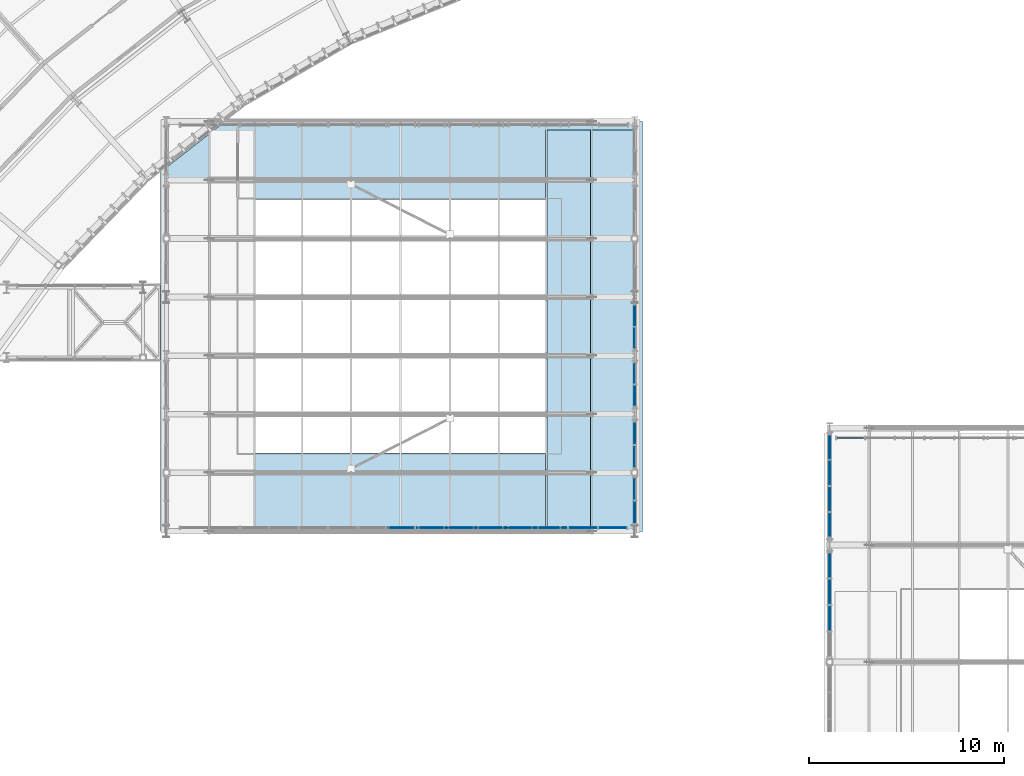
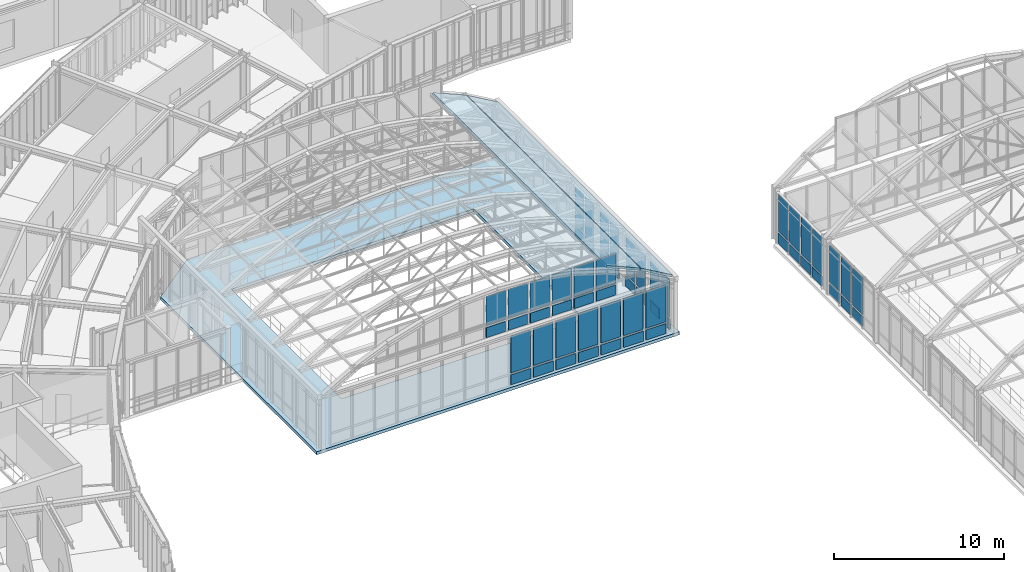
# One storey, part 99 of 148: 57 plates, 3 slabs, 9 elements without a shape of their own.
"""IFC4 building model written with IfcOpenShell, lengths in metres."""

from ifc_helpers import new_model, si_unit, direction, frame, origin, origin_2d, place, context, subcontext, project, spatial, polyline, rectangle, outline, extrude, material, layer, layer_set, type_object, element, aggregate, save


model = new_model("IFC4")

# Units and contexts
model_context = context("Model", 3, precision=1e-05, world=origin(), true_north=direction((0.0, 1.0)))
body_context = subcontext(model_context, "Body", "Model", "MODEL_VIEW")
ifc_project = project(units=[si_unit("LENGTHUNIT", "METRE"), si_unit("AREAUNIT", "SQUARE_METRE"), si_unit("VOLUMEUNIT", "CUBIC_METRE"), si_unit("PLANEANGLEUNIT", "RADIAN"), si_unit("MASSUNIT", "GRAM", prefix="KILO"), si_unit("THERMODYNAMICTEMPERATUREUNIT", "KELVIN"), si_unit("POWERUNIT", "WATT")], contexts=[model_context])

# Site, building, storey
site_placement = place(None, origin())
site = spatial("IfcSite", under=ifc_project, at=site_placement, CompositionType="ELEMENT")
building_placement = place(site_placement, origin())
building = spatial("IfcBuilding", under=site, at=building_placement, Name="Solvatero Civic Police Headquarters", CompositionType="ELEMENT")
storey_placement = place(building_placement, frame((0.0, 0.0, 5.10009765625)))
storey = spatial("IfcBuildingStorey", under=building, at=storey_placement, Name="L01", CompositionType="ELEMENT", Elevation=5.10009765625)

# Curtain wall, plate
ifc_material_1 = material(Name="Anodized Bronze Aluminium", Category="aluminium")
ifc_layer_1 = layer(ifc_material_1, 0.179931640625)
ifc_layer_set_1 = layer_set([ifc_layer_1], Name="Anodized Bronze Aluminium")
curtain_wall_type_1 = type_object("IfcCurtainWallType", Name="CW-HAL-GLZ", PredefinedType="USERDEFINED", material=ifc_layer_set_1)
curtain_wall_1_placement = place(storey_placement, origin())
curtain_wall_1 = element("IfcCurtainWall", 1, at=curtain_wall_1_placement, inside=storey, type_object=curtain_wall_type_1, Name="Curtain Wall CW-R2-L01-V2-E-B1", ObjectType="UNITISED", PredefinedType="USERDEFINED")
ifc_material_2 = material(Name="Triple Low-E Laminated Glass", Category="glass")
ifc_layer_2 = layer(ifc_material_2, 0.0380859375)
ifc_layer_set_2 = layer_set([ifc_layer_2], Name="Triple Low-E Laminated Glass")
plate_type_1 = type_object("IfcPlateType", Name="CWP-GLZ-38", PredefinedType="CURTAIN_PANEL", material=ifc_layer_set_2)
plate_1_placement = place(storey_placement, frame((88.800048828125, 43.68359375, 0.909912109375), z_axis=(0.0, 0.0, 1.0), x_axis=(0.0, 1.0, 0.0)))
plate_1 = element("IfcPlate", 2, at=plate_1_placement, type_object=plate_type_1, Name="CW-R2-L01-V2-E-B1 Vision Glazing 2", PredefinedType="CURTAIN_PANEL", context=body_context, shape_type="SweptSolid", body=[
    extrude(rectangle(XDim=1.049072265625, YDim=0.0380859375, at=origin_2d()), origin(), (0.0, 0.0, 1.0), 2.68994140625),
])

curtain_wall_2_placement = place(storey_placement, origin())
curtain_wall_2 = element("IfcCurtainWall", 3, at=curtain_wall_2_placement, inside=storey, type_object=curtain_wall_type_1, Name="Curtain Wall CW-R2-L01-V2-E-B2", ObjectType="UNITISED", PredefinedType="USERDEFINED")
plate_2_placement = place(storey_placement, frame((88.800048828125, 45.31396484375, 0.909912109375), z_axis=(0.0, 0.0, 1.0), x_axis=(0.0, 1.0, 0.0)))
plate_2 = element("IfcPlate", 4, at=plate_2_placement, type_object=plate_type_1, Name="CW-R2-L01-V2-E-B2 Vision Glazing 1", PredefinedType="CURTAIN_PANEL", context=body_context, shape_type="SweptSolid", body=[
    extrude(rectangle(XDim=1.0439453125, YDim=0.0380859375, at=origin_2d()), origin(), (0.0, 0.0, 1.0), 2.68994140625),
])

curtain_wall_3_placement = place(storey_placement, origin())
curtain_wall_3 = element("IfcCurtainWall", 5, at=curtain_wall_3_placement, inside=storey, type_object=curtain_wall_type_1, Name="Curtain Wall CW-R2-L01-V2-E-B3", ObjectType="UNITISED", PredefinedType="USERDEFINED")
plate_3_placement = place(storey_placement, frame((88.800048828125, 49.611083984375, 0.909912109375), z_axis=(0.0, 0.0, 1.0), x_axis=(0.0, 1.0, 0.0)))
plate_3 = element("IfcPlate", 6, at=plate_3_placement, type_object=plate_type_1, Name="CW-R2-L01-V2-E-B3 Vision Glazing 2", PredefinedType="CURTAIN_PANEL", context=body_context, shape_type="SweptSolid", body=[
    extrude(rectangle(XDim=0.993896484375, YDim=0.0380859375, at=origin_2d()), origin(), (0.0, 0.0, 1.0), 2.68994140625),
])

curtain_wall_4_placement = place(storey_placement, origin())
curtain_wall_4 = element("IfcCurtainWall", 7, at=curtain_wall_4_placement, inside=storey, type_object=curtain_wall_type_1, Name="Curtain Wall CW-R2-L01-V2-E-B4", ObjectType="UNITISED", PredefinedType="USERDEFINED")
plate_4_placement = place(storey_placement, frame((88.800048828125, 51.3916015625, 0.909912109375), z_axis=(0.0, 0.0, 1.0), x_axis=(0.0, 1.0, 0.0)))
plate_4 = element("IfcPlate", 8, at=plate_4_placement, type_object=plate_type_1, Name="CW-R2-L01-V2-E-B4 Vision Glazing 1", PredefinedType="CURTAIN_PANEL", context=body_context, shape_type="SweptSolid", body=[
    extrude(rectangle(XDim=0.9990234375, YDim=0.0380859375, at=origin_2d()), origin(), (0.0, 0.0, 1.0), 2.68994140625),
])

# Curtain wall, plates
curtain_wall_5_placement = place(storey_placement, origin())
curtain_wall_5 = element("IfcCurtainWall", 9, at=curtain_wall_5_placement, inside=storey, type_object=curtain_wall_type_1, Name="Curtain Wall CW-R2-L01-V2-S", ObjectType="UNITISED", PredefinedType="USERDEFINED")
plate_5_placement = place(storey_placement, frame((78.493408203125, 41.679931640625, 0.909912109375), z_axis=(0.0, 0.0, 1.0), x_axis=(1.0, 0.0, 0.0)))
plate_5 = element("IfcPlate", 10, at=plate_5_placement, type_object=plate_type_1, Name="CW-R2-L01-V2-S Vision Glazing 9", PredefinedType="CURTAIN_PANEL", context=body_context, shape_type="SweptSolid", body=[
    extrude(rectangle(XDim=1.353271484375, YDim=0.0380859375, at=origin_2d()), origin(), (0.0, 0.0, 1.0), 2.64990234375),
])
plate_6_placement = place(storey_placement, frame((81.56005859375, 41.679931640625, 0.909912109375), z_axis=(0.0, 0.0, 1.0), x_axis=(1.0, 0.0, 0.0)))
plate_6 = element("IfcPlate", 11, at=plate_6_placement, type_object=plate_type_1, Name="CW-R2-L01-V2-S Vision Glazing 11", PredefinedType="CURTAIN_PANEL", context=body_context, shape_type="SweptSolid", body=[
    extrude(rectangle(XDim=1.353271484375, YDim=0.0380859375, at=origin_2d()), origin(), (0.0, 0.0, 1.0), 2.64990234375),
])
plate_7_placement = place(storey_placement, frame((84.626708984375, 41.679931640625, 0.909912109375), z_axis=(0.0, 0.0, 1.0), x_axis=(1.0, 0.0, 0.0)))
plate_7 = element("IfcPlate", 12, at=plate_7_placement, type_object=plate_type_1, Name="CW-R2-L01-V2-S Vision Glazing 13", PredefinedType="CURTAIN_PANEL", context=body_context, shape_type="SweptSolid", body=[
    extrude(rectangle(XDim=1.353271484375, YDim=0.0380859375, at=origin_2d()), origin(), (0.0, 0.0, 1.0), 2.64990234375),
])
plate_8_placement = place(storey_placement, frame((87.693359375, 41.679931640625, 0.909912109375), z_axis=(0.0, 0.0, 1.0), x_axis=(1.0, 0.0, 0.0)))
plate_8 = element("IfcPlate", 13, at=plate_8_placement, type_object=plate_type_1, Name="CW-R2-L01-V2-S Vision Glazing 15", PredefinedType="CURTAIN_PANEL", context=body_context, shape_type="SweptSolid", body=[
    extrude(rectangle(XDim=1.353271484375, YDim=0.0380859375, at=origin_2d()), origin(), (0.0, 0.0, 1.0), 2.64990234375),
])

ifc_layer_3 = layer(ifc_material_1, 0.179931640625)
ifc_layer_set_3 = layer_set([ifc_layer_3], Name="Anodized Bronze Aluminium")
curtain_wall_type_2 = type_object("IfcCurtainWallType", Name="CW-VLT-TYMP", PredefinedType="USERDEFINED", material=ifc_layer_set_3)
curtain_wall_6_placement = place(storey_placement, origin())
curtain_wall_6 = element("IfcCurtainWall", 14, at=curtain_wall_6_placement, inside=storey, type_object=curtain_wall_type_2, Name="Curtain Wall CW-R2-L01-VLT2-S", ObjectType="UNITISED", PredefinedType="USERDEFINED")
plate_9_placement = place(storey_placement, frame((78.298095703125, 41.679931640625, 4.889892578125), z_axis=(0.0, 0.0, 1.0), x_axis=(1.0, 0.0, 0.0)))
plate_9 = element("IfcPlate", 15, at=plate_9_placement, type_object=plate_type_1, Name="CW-R2-L01-VLT2-S Vision Glazing 7", PredefinedType="CURTAIN_PANEL", context=body_context, shape_type="SweptSolid", body=[
    extrude(rectangle(XDim=1.318115234375, YDim=0.0380859375, at=origin_2d()), origin(), (0.0, 0.0, 1.0), 2.10009765625),
])
plate_10_placement = place(storey_placement, frame((81.29443359375, 41.679931640625, 4.889892578125), z_axis=(0.0, 0.0, 1.0), x_axis=(1.0, 0.0, 0.0)))
plate_10 = element("IfcPlate", 16, at=plate_10_placement, type_object=plate_type_1, Name="CW-R2-L01-VLT2-S Vision Glazing 9", PredefinedType="CURTAIN_PANEL", context=body_context, shape_type="SweptSolid", body=[
    extrude(rectangle(XDim=1.318115234375, YDim=0.0380859375, at=origin_2d()), origin(), (0.0, 0.0, 1.0), 2.10009765625),
])
plate_11_placement = place(storey_placement, frame((84.291015625, 41.679931640625, 4.889892578125), z_axis=(0.0, 0.0, 1.0), x_axis=(1.0, 0.0, 0.0)))
plate_11 = element("IfcPlate", 17, at=plate_11_placement, type_object=plate_type_1, Name="CW-R2-L01-VLT2-S Vision Glazing 11", PredefinedType="CURTAIN_PANEL", context=body_context, shape_type="SweptSolid", body=[
    extrude(rectangle(XDim=1.318115234375, YDim=0.0380859375, at=origin_2d()), origin(), (0.0, 0.0, 1.0), 2.10009765625),
])

curtain_wall_7_placement = place(storey_placement, origin())
curtain_wall_7 = element("IfcCurtainWall", 18, at=curtain_wall_7_placement, inside=storey, type_object=curtain_wall_type_1, Name="Curtain Wall CW-R2-L01-V1-W-B6", ObjectType="UNITISED", PredefinedType="USERDEFINED")
plate_12_placement = place(storey_placement, frame((98.800048828125, 37.044921875, 0.909912109375), z_axis=(0.0, 0.0, 1.0), x_axis=(0.0, 1.0, 0.0)))
plate_12 = element("IfcPlate", 19, at=plate_12_placement, type_object=plate_type_1, Name="CW-R2-L01-V1-W-B6 Vision Glazing 2", PredefinedType="CURTAIN_PANEL", context=body_context, shape_type="SweptSolid", body=[
    extrude(rectangle(XDim=1.181884765625, YDim=0.0380859375, at=origin_2d()), origin(), (0.0, 0.0, 1.0), 2.68994140625),
])
plate_13_placement = place(storey_placement, frame((98.800048828125, 39.76904296875, 0.909912109375), z_axis=(0.0, 0.0, 1.0), x_axis=(0.0, 1.0, 0.0)))
plate_13 = element("IfcPlate", 20, at=plate_13_placement, type_object=plate_type_1, Name="CW-R2-L01-V1-W-B6 Vision Glazing 4", PredefinedType="CURTAIN_PANEL", context=body_context, shape_type="SweptSolid", body=[
    extrude(rectangle(XDim=1.181884765625, YDim=0.0380859375, at=origin_2d()), origin(), (0.0, 0.0, 1.0), 2.68994140625),
])

curtain_wall_8_placement = place(storey_placement, origin())
curtain_wall_8 = element("IfcCurtainWall", 21, at=curtain_wall_8_placement, inside=storey, type_object=curtain_wall_type_1, Name="Curtain Wall CW-R2-L01-V1-W-B7", ObjectType="UNITISED", PredefinedType="USERDEFINED")
plate_14_placement = place(storey_placement, frame((98.800048828125, 41.818603515625, 0.909912109375), z_axis=(0.0, 0.0, 1.0), x_axis=(0.0, 1.0, 0.0)))
plate_14 = element("IfcPlate", 22, at=plate_14_placement, type_object=plate_type_1, Name="CW-R2-L01-V1-W-B7 Vision Glazing 1", PredefinedType="CURTAIN_PANEL", context=body_context, shape_type="SweptSolid", body=[
    extrude(rectangle(XDim=1.156982421875, YDim=0.0380859375, at=origin_2d()), origin(), (0.0, 0.0, 1.0), 2.68994140625),
])
plate_15_placement = place(storey_placement, frame((98.800048828125, 44.492431640625, 0.909912109375), z_axis=(0.0, 0.0, 1.0), x_axis=(0.0, 1.0, 0.0)))
plate_15 = element("IfcPlate", 23, at=plate_15_placement, type_object=plate_type_1, Name="CW-R2-L01-V1-W-B7 Vision Glazing 3", PredefinedType="CURTAIN_PANEL", context=body_context, shape_type="SweptSolid", body=[
    extrude(rectangle(XDim=1.156982421875, YDim=0.0380859375, at=origin_2d()), origin(), (0.0, 0.0, 1.0), 2.68994140625),
])

# Plate
ifc_material_3 = material(Name="Acoustic Ballistic Laminated Glass", Category="glass")
ifc_layer_4 = layer(ifc_material_3, 0.0439453125)
ifc_layer_set_4 = layer_set([ifc_layer_4], Name="Acoustic Ballistic Laminated Glass")
plate_type_2 = type_object("IfcPlateType", Name="CWP-GLZ-44", PredefinedType="CURTAIN_PANEL", material=ifc_layer_set_4)
plate_16_placement = place(storey_placement, frame((88.800048828125, 42.45458984375, 0.909912109375), z_axis=(0.0, 0.0, 1.0), x_axis=(0.0, 1.0, 0.0)))
plate_16 = element("IfcPlate", 24, at=plate_16_placement, type_object=plate_type_2, Name="CW-R2-L01-V2-E-B1 Vision Glazing 1", PredefinedType="CURTAIN_PANEL", context=body_context, shape_type="SweptSolid", body=[
    extrude(rectangle(XDim=1.049072265625, YDim=0.0439453125, at=origin_2d()), origin(), (0.0, 0.0, 1.0), 2.68994140625),
])

plate_17_placement = place(storey_placement, frame((88.800048828125, 46.5380859375, 0.909912109375), z_axis=(0.0, 0.0, 1.0), x_axis=(0.0, 1.0, 0.0)))
plate_17 = element("IfcPlate", 25, at=plate_17_placement, type_object=plate_type_2, Name="CW-R2-L01-V2-E-B2 Vision Glazing 2", PredefinedType="CURTAIN_PANEL", context=body_context, shape_type="SweptSolid", body=[
    extrude(rectangle(XDim=1.0439453125, YDim=0.0439453125, at=origin_2d()), origin(), (0.0, 0.0, 1.0), 2.68994140625),
])

plate_18_placement = place(storey_placement, frame((88.800048828125, 48.43701171875, 0.909912109375), z_axis=(0.0, 0.0, 1.0), x_axis=(0.0, 1.0, 0.0)))
plate_18 = element("IfcPlate", 26, at=plate_18_placement, type_object=plate_type_2, Name="CW-R2-L01-V2-E-B3 Vision Glazing 1", PredefinedType="CURTAIN_PANEL", context=body_context, shape_type="SweptSolid", body=[
    extrude(rectangle(XDim=0.993896484375, YDim=0.0439453125, at=origin_2d()), origin(), (0.0, 0.0, 1.0), 2.68994140625),
])

plate_19_placement = place(storey_placement, frame((88.800048828125, 52.570556640625, 0.909912109375), z_axis=(0.0, 0.0, 1.0), x_axis=(0.0, 1.0, 0.0)))
plate_19 = element("IfcPlate", 27, at=plate_19_placement, type_object=plate_type_2, Name="CW-R2-L01-V2-E-B4 Vision Glazing 2", PredefinedType="CURTAIN_PANEL", context=body_context, shape_type="SweptSolid", body=[
    extrude(rectangle(XDim=0.9990234375, YDim=0.0439453125, at=origin_2d()), origin(), (0.0, 0.0, 1.0), 2.68994140625),
])

plate_20_placement = place(storey_placement, frame((80.026611328125, 41.679931640625, 0.909912109375), z_axis=(0.0, 0.0, 1.0), x_axis=(1.0, 0.0, 0.0)))
plate_20 = element("IfcPlate", 28, at=plate_20_placement, type_object=plate_type_2, Name="CW-R2-L01-V2-S Vision Glazing 10", PredefinedType="CURTAIN_PANEL", context=body_context, shape_type="SweptSolid", body=[
    extrude(rectangle(XDim=1.353271484375, YDim=0.0439453125, at=origin_2d()), origin(), (0.0, 0.0, 1.0), 2.64990234375),
])

plate_21_placement = place(storey_placement, frame((83.09326171875, 41.679931640625, 0.909912109375), z_axis=(0.0, 0.0, 1.0), x_axis=(1.0, 0.0, 0.0)))
plate_21 = element("IfcPlate", 29, at=plate_21_placement, type_object=plate_type_2, Name="CW-R2-L01-V2-S Vision Glazing 12", PredefinedType="CURTAIN_PANEL", context=body_context, shape_type="SweptSolid", body=[
    extrude(rectangle(XDim=1.353271484375, YDim=0.0439453125, at=origin_2d()), origin(), (0.0, 0.0, 1.0), 2.64990234375),
])

plate_22_placement = place(storey_placement, frame((86.159912109375, 41.679931640625, 0.909912109375), z_axis=(0.0, 0.0, 1.0), x_axis=(1.0, 0.0, 0.0)))
plate_22 = element("IfcPlate", 30, at=plate_22_placement, type_object=plate_type_2, Name="CW-R2-L01-V2-S Vision Glazing 14", PredefinedType="CURTAIN_PANEL", context=body_context, shape_type="SweptSolid", body=[
    extrude(rectangle(XDim=1.353271484375, YDim=0.0439453125, at=origin_2d()), origin(), (0.0, 0.0, 1.0), 2.64990234375),
])

plate_23_placement = place(storey_placement, frame((76.800048828125, 41.679931640625, 4.889892578125), z_axis=(0.0, 0.0, 1.0), x_axis=(1.0, 0.0, 0.0)))
plate_23 = element("IfcPlate", 31, at=plate_23_placement, type_object=plate_type_2, Name="CW-R2-L01-VLT2-S Vision Glazing 6", PredefinedType="CURTAIN_PANEL", context=body_context, shape_type="SweptSolid", body=[
    extrude(rectangle(XDim=1.318115234375, YDim=0.0439453125, at=origin_2d()), origin(), (0.0, 0.0, 1.0), 2.10009765625),
])

plate_24_placement = place(storey_placement, frame((79.79638671875, 41.679931640625, 4.889892578125), z_axis=(0.0, 0.0, 1.0), x_axis=(1.0, 0.0, 0.0)))
plate_24 = element("IfcPlate", 32, at=plate_24_placement, type_object=plate_type_2, Name="CW-R2-L01-VLT2-S Vision Glazing 8", PredefinedType="CURTAIN_PANEL", context=body_context, shape_type="SweptSolid", body=[
    extrude(rectangle(XDim=1.318115234375, YDim=0.0439453125, at=origin_2d()), origin(), (0.0, 0.0, 1.0), 2.10009765625),
])

plate_25_placement = place(storey_placement, frame((82.792724609375, 41.679931640625, 4.889892578125), z_axis=(0.0, 0.0, 1.0), x_axis=(1.0, 0.0, 0.0)))
plate_25 = element("IfcPlate", 33, at=plate_25_placement, type_object=plate_type_2, Name="CW-R2-L01-VLT2-S Vision Glazing 10", PredefinedType="CURTAIN_PANEL", context=body_context, shape_type="SweptSolid", body=[
    extrude(rectangle(XDim=1.318115234375, YDim=0.0439453125, at=origin_2d()), origin(), (0.0, 0.0, 1.0), 2.10009765625),
])

plate_26_placement = place(storey_placement, frame((98.800048828125, 38.406982421875, 0.909912109375), z_axis=(0.0, 0.0, 1.0), x_axis=(0.0, 1.0, 0.0)))
plate_26 = element("IfcPlate", 34, at=plate_26_placement, type_object=plate_type_2, Name="CW-R2-L01-V1-W-B6 Vision Glazing 3", PredefinedType="CURTAIN_PANEL", context=body_context, shape_type="SweptSolid", body=[
    extrude(rectangle(XDim=1.181884765625, YDim=0.0439453125, at=origin_2d()), origin(), (0.0, 0.0, 1.0), 2.68994140625),
])

plate_27_placement = place(storey_placement, frame((98.800048828125, 43.155517578125, 0.909912109375), z_axis=(0.0, 0.0, 1.0), x_axis=(0.0, 1.0, 0.0)))
plate_27 = element("IfcPlate", 35, at=plate_27_placement, type_object=plate_type_2, Name="CW-R2-L01-V1-W-B7 Vision Glazing 2", PredefinedType="CURTAIN_PANEL", context=body_context, shape_type="SweptSolid", body=[
    extrude(rectangle(XDim=1.156982421875, YDim=0.0439453125, at=origin_2d()), origin(), (0.0, 0.0, 1.0), 2.68994140625),
])

plate_28_placement = place(storey_placement, frame((98.800048828125, 45.82958984375, 0.909912109375), z_axis=(0.0, 0.0, 1.0), x_axis=(0.0, 1.0, 0.0)))
plate_28 = element("IfcPlate", 36, at=plate_28_placement, type_object=plate_type_2, Name="CW-R2-L01-V1-W-B7 Vision Glazing 4", PredefinedType="CURTAIN_PANEL", context=body_context, shape_type="SweptSolid", body=[
    extrude(rectangle(XDim=1.156982421875, YDim=0.0439453125, at=origin_2d()), origin(), (0.0, 0.0, 1.0), 2.68994140625),
])

ifc_material_4 = material(Name="Insulated Bronze Aluminium Spandrel", Category="aluminium")
ifc_layer_5 = layer(ifc_material_4, 0.06005859375)
ifc_layer_set_5 = layer_set([ifc_layer_5], Name="Insulated Bronze Aluminium Spandrel")
plate_type_3 = type_object("IfcPlateType", Name="CWP-SPN-60", PredefinedType="CURTAIN_PANEL", material=ifc_layer_set_5)
plate_29_placement = place(storey_placement, frame((88.800048828125, 43.68359375, 0.059814453125), z_axis=(0.0, 0.0, 1.0), x_axis=(0.0, 1.0, 0.0)))
plate_29 = element("IfcPlate", 37, at=plate_29_placement, type_object=plate_type_3, Name="CW-R2-L01-V2-E-B1 Spandrel Panel 2", PredefinedType="CURTAIN_PANEL", context=body_context, shape_type="SweptSolid", body=[
    extrude(rectangle(XDim=1.049072265625, YDim=0.06005859375, at=origin_2d()), origin(), (0.0, 0.0, 1.0), 0.72998046875),
])

plate_30_placement = place(storey_placement, frame((88.800048828125, 45.31396484375, 0.059814453125), z_axis=(0.0, 0.0, 1.0), x_axis=(0.0, 1.0, 0.0)))
plate_30 = element("IfcPlate", 38, at=plate_30_placement, type_object=plate_type_3, Name="CW-R2-L01-V2-E-B2 Spandrel Panel 1", PredefinedType="CURTAIN_PANEL", context=body_context, shape_type="SweptSolid", body=[
    extrude(rectangle(XDim=1.0439453125, YDim=0.06005859375, at=origin_2d()), origin(), (0.0, 0.0, 1.0), 0.72998046875),
])

plate_31_placement = place(storey_placement, frame((88.800048828125, 49.611083984375, 0.059814453125), z_axis=(0.0, 0.0, 1.0), x_axis=(0.0, 1.0, 0.0)))
plate_31 = element("IfcPlate", 39, at=plate_31_placement, type_object=plate_type_3, Name="CW-R2-L01-V2-E-B3 Spandrel Panel 2", PredefinedType="CURTAIN_PANEL", context=body_context, shape_type="SweptSolid", body=[
    extrude(rectangle(XDim=0.993896484375, YDim=0.06005859375, at=origin_2d()), origin(), (0.0, 0.0, 1.0), 0.72998046875),
])

plate_32_placement = place(storey_placement, frame((88.800048828125, 51.3916015625, 0.059814453125), z_axis=(0.0, 0.0, 1.0), x_axis=(0.0, 1.0, 0.0)))
plate_32 = element("IfcPlate", 40, at=plate_32_placement, type_object=plate_type_3, Name="CW-R2-L01-V2-E-B4 Spandrel Panel 1", PredefinedType="CURTAIN_PANEL", context=body_context, shape_type="SweptSolid", body=[
    extrude(rectangle(XDim=0.9990234375, YDim=0.06005859375, at=origin_2d()), origin(), (0.0, 0.0, 1.0), 0.72998046875),
])

plate_33_placement = place(storey_placement, frame((78.493408203125, 41.679931640625, 0.059814453125), z_axis=(0.0, 0.0, 1.0), x_axis=(1.0, 0.0, 0.0)))
plate_33 = element("IfcPlate", 41, at=plate_33_placement, type_object=plate_type_3, Name="CW-R2-L01-V2-S Spandrel Panel 9", PredefinedType="CURTAIN_PANEL", context=body_context, shape_type="SweptSolid", body=[
    extrude(rectangle(XDim=1.353271484375, YDim=0.06005859375, at=origin_2d()), origin(), (0.0, 0.0, 1.0), 0.72998046875),
])

plate_34_placement = place(storey_placement, frame((81.56005859375, 41.679931640625, 0.059814453125), z_axis=(0.0, 0.0, 1.0), x_axis=(1.0, 0.0, 0.0)))
plate_34 = element("IfcPlate", 42, at=plate_34_placement, type_object=plate_type_3, Name="CW-R2-L01-V2-S Spandrel Panel 11", PredefinedType="CURTAIN_PANEL", context=body_context, shape_type="SweptSolid", body=[
    extrude(rectangle(XDim=1.353271484375, YDim=0.06005859375, at=origin_2d()), origin(), (0.0, 0.0, 1.0), 0.72998046875),
])

plate_35_placement = place(storey_placement, frame((84.626708984375, 41.679931640625, 0.059814453125), z_axis=(0.0, 0.0, 1.0), x_axis=(1.0, 0.0, 0.0)))
plate_35 = element("IfcPlate", 43, at=plate_35_placement, type_object=plate_type_3, Name="CW-R2-L01-V2-S Spandrel Panel 13", PredefinedType="CURTAIN_PANEL", context=body_context, shape_type="SweptSolid", body=[
    extrude(rectangle(XDim=1.353271484375, YDim=0.06005859375, at=origin_2d()), origin(), (0.0, 0.0, 1.0), 0.72998046875),
])

plate_36_placement = place(storey_placement, frame((87.693359375, 41.679931640625, 0.059814453125), z_axis=(0.0, 0.0, 1.0), x_axis=(1.0, 0.0, 0.0)))
plate_36 = element("IfcPlate", 44, at=plate_36_placement, type_object=plate_type_3, Name="CW-R2-L01-V2-S Spandrel Panel 15", PredefinedType="CURTAIN_PANEL", context=body_context, shape_type="SweptSolid", body=[
    extrude(rectangle(XDim=1.353271484375, YDim=0.06005859375, at=origin_2d()), origin(), (0.0, 0.0, 1.0), 0.72998046875),
])

plate_37_placement = place(storey_placement, frame((78.298095703125, 41.679931640625, 4.039794921875), z_axis=(0.0, 0.0, 1.0), x_axis=(1.0, 0.0, 0.0)))
plate_37 = element("IfcPlate", 45, at=plate_37_placement, type_object=plate_type_3, Name="CW-R2-L01-VLT2-S Spandrel Panel 7", PredefinedType="CURTAIN_PANEL", context=body_context, shape_type="SweptSolid", body=[
    extrude(rectangle(XDim=1.318115234375, YDim=0.06005859375, at=origin_2d()), origin(), (0.0, 0.0, 1.0), 0.72998046875),
])

plate_38_placement = place(storey_placement, frame((81.29443359375, 41.679931640625, 4.039794921875), z_axis=(0.0, 0.0, 1.0), x_axis=(1.0, 0.0, 0.0)))
plate_38 = element("IfcPlate", 46, at=plate_38_placement, type_object=plate_type_3, Name="CW-R2-L01-VLT2-S Spandrel Panel 9", PredefinedType="CURTAIN_PANEL", context=body_context, shape_type="SweptSolid", body=[
    extrude(rectangle(XDim=1.318115234375, YDim=0.06005859375, at=origin_2d()), origin(), (0.0, 0.0, 1.0), 0.72998046875),
])

plate_39_placement = place(storey_placement, frame((84.291015625, 41.679931640625, 4.039794921875), z_axis=(0.0, 0.0, 1.0), x_axis=(1.0, 0.0, 0.0)))
plate_39 = element("IfcPlate", 47, at=plate_39_placement, type_object=plate_type_3, Name="CW-R2-L01-VLT2-S Spandrel Panel 11", PredefinedType="CURTAIN_PANEL", context=body_context, shape_type="SweptSolid", body=[
    extrude(rectangle(XDim=1.318115234375, YDim=0.06005859375, at=origin_2d()), origin(), (0.0, 0.0, 1.0), 0.72998046875),
])

plate_40_placement = place(storey_placement, frame((98.800048828125, 37.044921875, 0.059814453125), z_axis=(0.0, 0.0, 1.0), x_axis=(0.0, 1.0, 0.0)))
plate_40 = element("IfcPlate", 48, at=plate_40_placement, type_object=plate_type_3, Name="CW-R2-L01-V1-W-B6 Spandrel Panel 2", PredefinedType="CURTAIN_PANEL", context=body_context, shape_type="SweptSolid", body=[
    extrude(rectangle(XDim=1.181884765625, YDim=0.06005859375, at=origin_2d()), origin(), (0.0, 0.0, 1.0), 0.72998046875),
])

plate_41_placement = place(storey_placement, frame((98.800048828125, 39.76904296875, 0.059814453125), z_axis=(0.0, 0.0, 1.0), x_axis=(0.0, 1.0, 0.0)))
plate_41 = element("IfcPlate", 49, at=plate_41_placement, type_object=plate_type_3, Name="CW-R2-L01-V1-W-B6 Spandrel Panel 4", PredefinedType="CURTAIN_PANEL", context=body_context, shape_type="SweptSolid", body=[
    extrude(rectangle(XDim=1.181884765625, YDim=0.06005859375, at=origin_2d()), origin(), (0.0, 0.0, 1.0), 0.72998046875),
])

plate_42_placement = place(storey_placement, frame((98.800048828125, 41.818603515625, 0.059814453125), z_axis=(0.0, 0.0, 1.0), x_axis=(0.0, 1.0, 0.0)))
plate_42 = element("IfcPlate", 50, at=plate_42_placement, type_object=plate_type_3, Name="CW-R2-L01-V1-W-B7 Spandrel Panel 1", PredefinedType="CURTAIN_PANEL", context=body_context, shape_type="SweptSolid", body=[
    extrude(rectangle(XDim=1.156982421875, YDim=0.06005859375, at=origin_2d()), origin(), (0.0, 0.0, 1.0), 0.72998046875),
])

plate_43_placement = place(storey_placement, frame((98.800048828125, 44.492431640625, 0.059814453125), z_axis=(0.0, 0.0, 1.0), x_axis=(0.0, 1.0, 0.0)))
plate_43 = element("IfcPlate", 51, at=plate_43_placement, type_object=plate_type_3, Name="CW-R2-L01-V1-W-B7 Spandrel Panel 3", PredefinedType="CURTAIN_PANEL", context=body_context, shape_type="SweptSolid", body=[
    extrude(rectangle(XDim=1.156982421875, YDim=0.06005859375, at=origin_2d()), origin(), (0.0, 0.0, 1.0), 0.72998046875),
])

# Curtain wall, plate
curtain_wall_9_placement = place(storey_placement, origin())
curtain_wall_9 = element("IfcCurtainWall", 52, at=curtain_wall_9_placement, inside=storey, type_object=curtain_wall_type_1, Name="Curtain Wall CW-R2-L01-V1-N", ObjectType="UNITISED", PredefinedType="USERDEFINED")
plate_44_placement = place(storey_placement, frame((99.86181640625, 46.280029296875, 0.059814453125), z_axis=(0.0, 0.0, 1.0), x_axis=(1.0, 0.0, 0.0)))
plate_44 = element("IfcPlate", 53, at=plate_44_placement, type_object=plate_type_3, Name="CW-R2-L01-V1-N Spandrel Panel 1", PredefinedType="CURTAIN_PANEL", context=body_context, shape_type="SweptSolid", body=[
    extrude(rectangle(XDim=1.339599609375, YDim=0.06005859375, at=origin_2d()), origin(), (0.0, 0.0, 1.0), 0.72998046875),
])
aggregate(curtain_wall_9, [plate_44])

# Plate
ifc_material_5 = material(Name="Limestone Veneer Spandrel Panel", Category="masonry")
ifc_layer_6 = layer(ifc_material_5, 0.074951171875)
ifc_layer_set_6 = layer_set([ifc_layer_6], Name="Limestone Veneer Spandrel Panel")
plate_type_4 = type_object("IfcPlateType", Name="CWP-SPN-75", PredefinedType="CURTAIN_PANEL", material=ifc_layer_set_6)
plate_45_placement = place(storey_placement, frame((88.800048828125, 42.45458984375, 0.059814453125), z_axis=(0.0, 0.0, 1.0), x_axis=(0.0, 1.0, 0.0)))
plate_45 = element("IfcPlate", 54, at=plate_45_placement, type_object=plate_type_4, Name="CW-R2-L01-V2-E-B1 Spandrel Panel 1", PredefinedType="CURTAIN_PANEL", context=body_context, shape_type="SweptSolid", body=[
    extrude(rectangle(XDim=1.049072265625, YDim=0.074951171875, at=origin_2d()), origin(), (0.0, 0.0, 1.0), 0.72998046875),
])

aggregate(curtain_wall_1, [plate_45, plate_16, plate_29, plate_1])

plate_46_placement = place(storey_placement, frame((88.800048828125, 46.5380859375, 0.059814453125), z_axis=(0.0, 0.0, 1.0), x_axis=(0.0, 1.0, 0.0)))
plate_46 = element("IfcPlate", 55, at=plate_46_placement, type_object=plate_type_4, Name="CW-R2-L01-V2-E-B2 Spandrel Panel 2", PredefinedType="CURTAIN_PANEL", context=body_context, shape_type="SweptSolid", body=[
    extrude(rectangle(XDim=1.0439453125, YDim=0.074951171875, at=origin_2d()), origin(), (0.0, 0.0, 1.0), 0.72998046875),
])

aggregate(curtain_wall_2, [plate_30, plate_2, plate_46, plate_17])

plate_47_placement = place(storey_placement, frame((88.800048828125, 48.43701171875, 0.059814453125), z_axis=(0.0, 0.0, 1.0), x_axis=(0.0, 1.0, 0.0)))
plate_47 = element("IfcPlate", 56, at=plate_47_placement, type_object=plate_type_4, Name="CW-R2-L01-V2-E-B3 Spandrel Panel 1", PredefinedType="CURTAIN_PANEL", context=body_context, shape_type="SweptSolid", body=[
    extrude(rectangle(XDim=0.993896484375, YDim=0.074951171875, at=origin_2d()), origin(), (0.0, 0.0, 1.0), 0.72998046875),
])

aggregate(curtain_wall_3, [plate_47, plate_18, plate_31, plate_3])

plate_48_placement = place(storey_placement, frame((88.800048828125, 52.570556640625, 0.059814453125), z_axis=(0.0, 0.0, 1.0), x_axis=(0.0, 1.0, 0.0)))
plate_48 = element("IfcPlate", 57, at=plate_48_placement, type_object=plate_type_4, Name="CW-R2-L01-V2-E-B4 Spandrel Panel 2", PredefinedType="CURTAIN_PANEL", context=body_context, shape_type="SweptSolid", body=[
    extrude(rectangle(XDim=0.9990234375, YDim=0.074951171875, at=origin_2d()), origin(), (0.0, 0.0, 1.0), 0.72998046875),
])

aggregate(curtain_wall_4, [plate_32, plate_4, plate_48, plate_19])

plate_49_placement = place(storey_placement, frame((80.026611328125, 41.679931640625, 0.059814453125), z_axis=(0.0, 0.0, 1.0), x_axis=(1.0, 0.0, 0.0)))
plate_49 = element("IfcPlate", 58, at=plate_49_placement, type_object=plate_type_4, Name="CW-R2-L01-V2-S Spandrel Panel 10", PredefinedType="CURTAIN_PANEL", context=body_context, shape_type="SweptSolid", body=[
    extrude(rectangle(XDim=1.353271484375, YDim=0.074951171875, at=origin_2d()), origin(), (0.0, 0.0, 1.0), 0.72998046875),
])

plate_50_placement = place(storey_placement, frame((83.09326171875, 41.679931640625, 0.059814453125), z_axis=(0.0, 0.0, 1.0), x_axis=(1.0, 0.0, 0.0)))
plate_50 = element("IfcPlate", 59, at=plate_50_placement, type_object=plate_type_4, Name="CW-R2-L01-V2-S Spandrel Panel 12", PredefinedType="CURTAIN_PANEL", context=body_context, shape_type="SweptSolid", body=[
    extrude(rectangle(XDim=1.353271484375, YDim=0.074951171875, at=origin_2d()), origin(), (0.0, 0.0, 1.0), 0.72998046875),
])

plate_51_placement = place(storey_placement, frame((86.159912109375, 41.679931640625, 0.059814453125), z_axis=(0.0, 0.0, 1.0), x_axis=(1.0, 0.0, 0.0)))
plate_51 = element("IfcPlate", 60, at=plate_51_placement, type_object=plate_type_4, Name="CW-R2-L01-V2-S Spandrel Panel 14", PredefinedType="CURTAIN_PANEL", context=body_context, shape_type="SweptSolid", body=[
    extrude(rectangle(XDim=1.353271484375, YDim=0.074951171875, at=origin_2d()), origin(), (0.0, 0.0, 1.0), 0.72998046875),
])

aggregate(curtain_wall_5, [plate_33, plate_5, plate_49, plate_20, plate_34, plate_6, plate_50, plate_21, plate_35, plate_7, plate_51, plate_22, plate_36, plate_8])

plate_52_placement = place(storey_placement, frame((76.800048828125, 41.679931640625, 4.039794921875), z_axis=(0.0, 0.0, 1.0), x_axis=(1.0, 0.0, 0.0)))
plate_52 = element("IfcPlate", 61, at=plate_52_placement, type_object=plate_type_4, Name="CW-R2-L01-VLT2-S Spandrel Panel 6", PredefinedType="CURTAIN_PANEL", context=body_context, shape_type="SweptSolid", body=[
    extrude(rectangle(XDim=1.318115234375, YDim=0.074951171875, at=origin_2d()), origin(), (0.0, 0.0, 1.0), 0.72998046875),
])

plate_53_placement = place(storey_placement, frame((79.79638671875, 41.679931640625, 4.039794921875), z_axis=(0.0, 0.0, 1.0), x_axis=(1.0, 0.0, 0.0)))
plate_53 = element("IfcPlate", 62, at=plate_53_placement, type_object=plate_type_4, Name="CW-R2-L01-VLT2-S Spandrel Panel 8", PredefinedType="CURTAIN_PANEL", context=body_context, shape_type="SweptSolid", body=[
    extrude(rectangle(XDim=1.318115234375, YDim=0.074951171875, at=origin_2d()), origin(), (0.0, 0.0, 1.0), 0.72998046875),
])

plate_54_placement = place(storey_placement, frame((82.792724609375, 41.679931640625, 4.039794921875), z_axis=(0.0, 0.0, 1.0), x_axis=(1.0, 0.0, 0.0)))
plate_54 = element("IfcPlate", 63, at=plate_54_placement, type_object=plate_type_4, Name="CW-R2-L01-VLT2-S Spandrel Panel 10", PredefinedType="CURTAIN_PANEL", context=body_context, shape_type="SweptSolid", body=[
    extrude(rectangle(XDim=1.318115234375, YDim=0.074951171875, at=origin_2d()), origin(), (0.0, 0.0, 1.0), 0.72998046875),
])

aggregate(curtain_wall_6, [plate_52, plate_23, plate_37, plate_9, plate_53, plate_24, plate_38, plate_10, plate_54, plate_25, plate_39, plate_11])

plate_55_placement = place(storey_placement, frame((98.800048828125, 38.406982421875, 0.059814453125), z_axis=(0.0, 0.0, 1.0), x_axis=(0.0, 1.0, 0.0)))
plate_55 = element("IfcPlate", 64, at=plate_55_placement, type_object=plate_type_4, Name="CW-R2-L01-V1-W-B6 Spandrel Panel 3", PredefinedType="CURTAIN_PANEL", context=body_context, shape_type="SweptSolid", body=[
    extrude(rectangle(XDim=1.181884765625, YDim=0.074951171875, at=origin_2d()), origin(), (0.0, 0.0, 1.0), 0.72998046875),
])

aggregate(curtain_wall_7, [plate_40, plate_12, plate_55, plate_26, plate_41, plate_13])

plate_56_placement = place(storey_placement, frame((98.800048828125, 43.155517578125, 0.059814453125), z_axis=(0.0, 0.0, 1.0), x_axis=(0.0, 1.0, 0.0)))
plate_56 = element("IfcPlate", 65, at=plate_56_placement, type_object=plate_type_4, Name="CW-R2-L01-V1-W-B7 Spandrel Panel 2", PredefinedType="CURTAIN_PANEL", context=body_context, shape_type="SweptSolid", body=[
    extrude(rectangle(XDim=1.156982421875, YDim=0.074951171875, at=origin_2d()), origin(), (0.0, 0.0, 1.0), 0.72998046875),
])

plate_57_placement = place(storey_placement, frame((98.800048828125, 45.82958984375, 0.059814453125), z_axis=(0.0, 0.0, 1.0), x_axis=(0.0, 1.0, 0.0)))
plate_57 = element("IfcPlate", 66, at=plate_57_placement, type_object=plate_type_4, Name="CW-R2-L01-V1-W-B7 Spandrel Panel 4", PredefinedType="CURTAIN_PANEL", context=body_context, shape_type="SweptSolid", body=[
    extrude(rectangle(XDim=1.156982421875, YDim=0.074951171875, at=origin_2d()), origin(), (0.0, 0.0, 1.0), 0.72998046875),
])

aggregate(curtain_wall_8, [plate_42, plate_14, plate_56, plate_27, plate_43, plate_15, plate_57, plate_28])

# Slabs
ifc_material_6 = material(Name="Concrete C35/45", Category="concrete")
ifc_layer_7 = layer(ifc_material_6, 0.219970703125)
ifc_layer_set_7 = layer_set([ifc_layer_7], Name="Concrete C35/45")
slab_type_1 = type_object("IfcSlabType", Name="SLB-COMP-220", PredefinedType="FLOOR", material=ifc_layer_set_7)
slab_1_placement = place(storey_placement, frame((0.0, 0.0, -0.22021484375)))
element("IfcSlab", 67, at=slab_1_placement, inside=storey, type_object=slab_type_1, Name="L01 Suspended floor slab SLB-L01-V2", PredefinedType="FLOOR", context=body_context, shape_type="SweptSolid", body=[
    extrude(outline(polyline([(89.199951171875, 62.5), (89.199951171875, 41.5), (64.5, 41.5), (64.5, 59.916259765625), (67.806884765625, 62.5), (89.199951171875, 62.5)]), holes=[polyline([(68.5, 45.5), (85.0, 45.5), (85.0, 58.5), (68.5, 58.5), (68.5, 45.5)])]), origin(), (0.0, 0.0, 1.0), 0.22021484375),
])
ifc_layer_8 = layer(ifc_material_6, 0.159912109375)
ifc_layer_set_8 = layer_set([ifc_layer_8], Name="Concrete C35/45")
slab_type_2 = type_object("IfcSlabType", Name="SLB-RF-VLT-160", PredefinedType="ROOF", material=ifc_layer_set_8)
slab_2_placement = place(storey_placement, frame((84.297607421875, 41.5400390625, 6.46826171875), z_axis=(0.396828213688, 0.0, 0.91789289616), x_axis=(0.91789289616, 0.0, -0.396828213688)))
element("IfcSlab", 68, at=slab_2_placement, inside=storey, type_object=slab_type_2, Name="VLT2 Barrel Vault Roof Slab Facet 9", PredefinedType="ROOF", context=body_context, shape_type="SweptSolid", body=[
    extrude(outline(polyline([(0.0, 0.0), (2.479992161419233, 0.0), (2.479992161419233, 20.5400390625), (0.0, 20.5400390625), (0.0, 0.0)])), origin(), (0.0, 0.0, -1.0), 0.159912109375),
])
slab_3_placement = place(storey_placement, frame((86.62744140625, 41.5400390625, 5.457275390625), z_axis=(0.500954780645, 0.0, 0.86547345872), x_axis=(0.86547345872, 0.0, -0.500954780645)))
element("IfcSlab", 69, at=slab_3_placement, inside=storey, type_object=slab_type_2, Name="VLT2 Barrel Vault Roof Slab Facet 10", PredefinedType="ROOF", context=body_context, shape_type="SweptSolid", body=[
    extrude(outline(polyline([(0.0, 0.0), (2.480127326115591, 0.0), (2.480127326115591, 20.540039062500004), (0.0, 20.540039062500004), (0.0, 0.0)])), origin(), (0.0, 0.0, -1.0), 0.159912109375),
])

save(model, "model.ifc")
